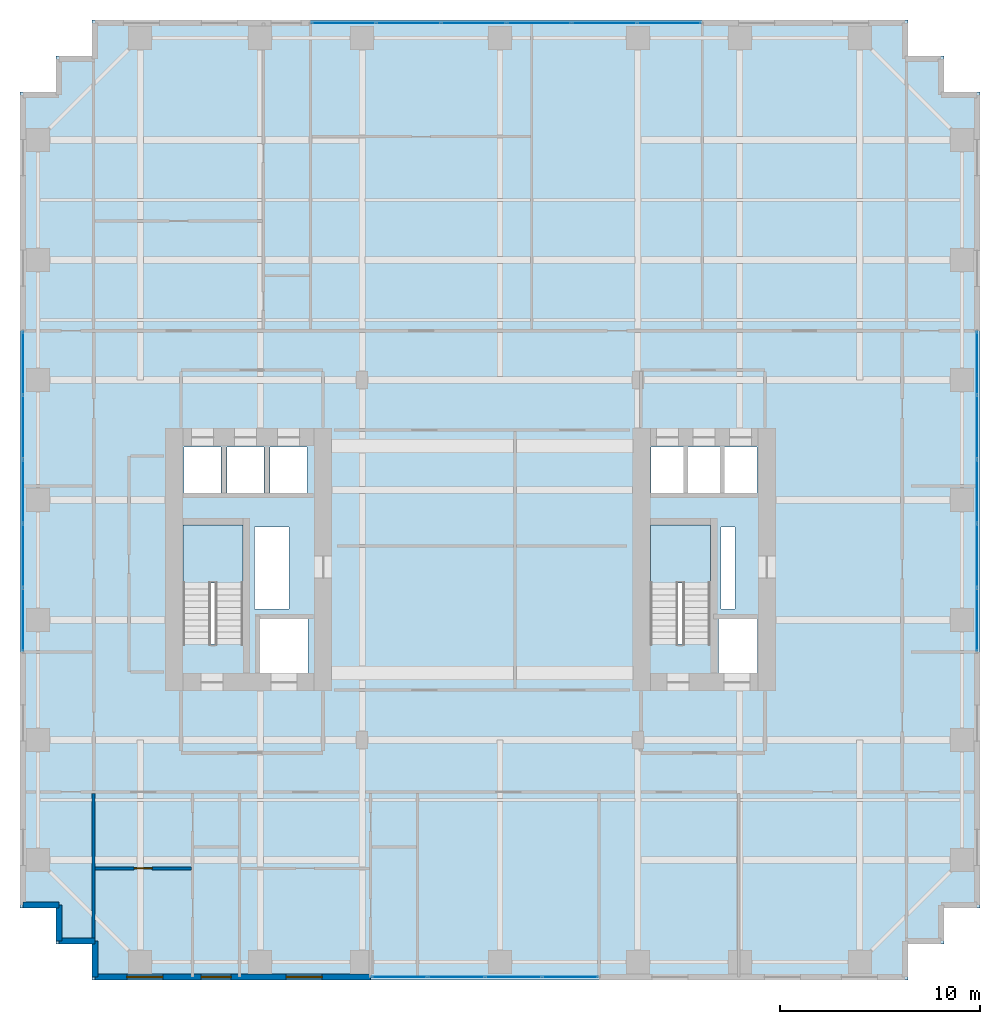
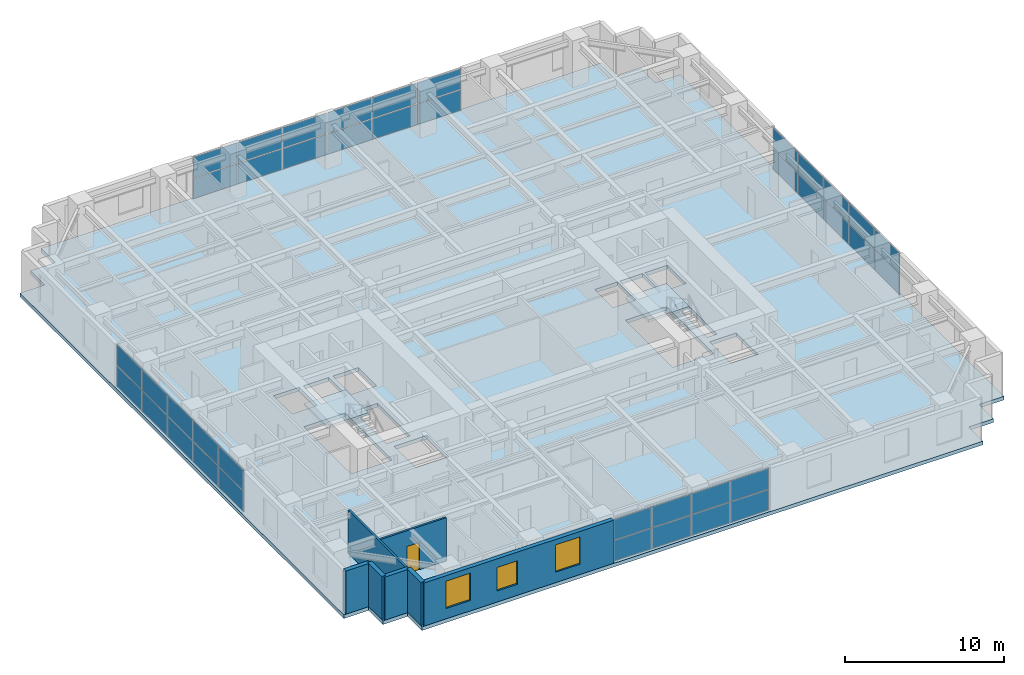
# One storey, part 19 of 24: 40 plates, 7 walls, 3 slabs, 3 windows, 1 door, 4 openings, 6 elements without a shape of their own.
"""IFC4 building model written with IfcOpenShell, lengths in metres."""

from ifc_helpers import new_model, si_unit, direction, frame, frame_2d, origin, origin_2d, place, context, subcontext, project, spatial, polyline, rectangle, outline, extrude, source, transform, mapped, material, layer, layer_set, type_object, element, fill, aggregate, save


model = new_model("IFC4")

# Units and contexts
model_context = context("Model", 3, precision=1e-05, world=origin(), true_north=direction((0.0, 1.0)))
body_context = subcontext(model_context, "Body", "Model", "MODEL_VIEW")
ifc_project = project(units=[si_unit("LENGTHUNIT", "METRE"), si_unit("AREAUNIT", "SQUARE_METRE"), si_unit("VOLUMEUNIT", "CUBIC_METRE"), si_unit("PLANEANGLEUNIT", "RADIAN"), si_unit("MASSUNIT", "GRAM", prefix="KILO")], contexts=[model_context])

# Site, building, storey
site_placement = place(None, origin())
site = spatial("IfcSite", under=ifc_project, at=site_placement, CompositionType="ELEMENT")
building_placement = place(site_placement, origin())
building = spatial("IfcBuilding", under=site, at=building_placement, Name="Khoralis Quay Care Tower", CompositionType="ELEMENT")
storey_placement = place(building_placement, frame((0.0, 0.0, 62.10009765625)))
storey = spatial("IfcBuildingStorey", under=building, at=storey_placement, Name="L16", CompositionType="ELEMENT", Elevation=62.10009765625)

# Stair, slab
ifc_material_1 = material(Name="Precast concrete C45/55", Category="concrete")
stair_type = type_object("IfcStairType", Name="ST-TWR-DOGLEG-1400", PredefinedType="HALF_TURN_STAIR", material=ifc_material_1)
stair_1_placement = place(storey_placement, origin())
stair_1 = element("IfcStair", 1, at=stair_1_placement, inside=storey, type_object=stair_type, Name="L16 West Core Exit Stair ST-T1", PredefinedType="HALF_TURN_STAIR")
ifc_layer_1 = layer(ifc_material_1, 0.199951171875)
ifc_layer_set_1 = layer_set([ifc_layer_1], Name="Precast concrete C45/55")
slab_type_1 = type_object("IfcSlabType", Name="SLB-LANDING-200", PredefinedType="LANDING", material=ifc_layer_set_1)
slab_1_placement = place(storey_placement, frame((0.0, 0.0, 1.599853515625)))
slab_1 = element("IfcSlab", 2, at=slab_1_placement, type_object=slab_type_1, Name="ST-T1 landing 1", PredefinedType="LANDING", context=body_context, shape_type="SweptSolid", body=[
    extrude(outline(polyline([(11.14990234375, 19.840087890625), (11.14990234375, 22.75), (8.14990234375, 22.75), (8.14990234375, 19.840087890625), (11.14990234375, 19.840087890625)])), origin(), (0.0, 0.0, 1.0), 0.199951171875),
])
aggregate(stair_1, [slab_1])

stair_2_placement = place(storey_placement, origin())
stair_2 = element("IfcStair", 3, at=stair_2_placement, inside=storey, type_object=stair_type, Name="L16 East Core Exit Stair ST-T2", PredefinedType="HALF_TURN_STAIR")
slab_2_placement = place(storey_placement, frame((0.0, 0.0, 1.599853515625)))
slab_2 = element("IfcSlab", 4, at=slab_2_placement, type_object=slab_type_1, Name="ST-T2 landing 1", PredefinedType="LANDING", context=body_context, shape_type="SweptSolid", body=[
    extrude(outline(polyline([(34.52001953125, 19.840087890625), (34.52001953125, 22.75), (31.52001953125, 22.75), (31.52001953125, 19.840087890625), (34.52001953125, 19.840087890625)])), origin(), (0.0, 0.0, 1.0), 0.199951171875),
])
aggregate(stair_2, [slab_2])

# Slab
ifc_material_2 = material(Name="Concrete C40/50", Category="concrete")
ifc_layer_2 = layer(ifc_material_2, 0.280029296875)
ifc_layer_set_2 = layer_set([ifc_layer_2], Name="Concrete C40/50")
slab_type_2 = type_object("IfcSlabType", Name="SLB-TWR-280", PredefinedType="FLOOR", material=ifc_layer_set_2)
slab_3_placement = place(storey_placement, frame((0.0, 0.0, -0.280029296875)))
element("IfcSlab", 5, at=slab_3_placement, inside=storey, type_object=slab_type_2, Name="Tower Floor Slab L16", PredefinedType="FLOOR", context=body_context, shape_type="SweptSolid", body=[
    extrude(outline(polyline([(3.60009765625, 0.0), (44.39990234375, 0.0), (44.39990234375, 1.800048828125), (46.199951171875, 1.800048828125), (46.199951171875, 3.60009765625), (48.0, 3.60009765625), (48.0, 44.39990234375), (46.199951171875, 44.39990234375), (46.199951171875, 46.199951171875), (44.39990234375, 46.199951171875), (44.39990234375, 48.0), (3.60009765625, 48.0), (3.60009765625, 46.199951171875), (1.800048828125, 46.199951171875), (1.800048828125, 44.39990234375), (0.0, 44.39990234375), (0.0, 3.60009765625), (1.800048828125, 3.60009765625), (1.800048828125, 1.800048828125), (3.60009765625, 1.800048828125), (3.60009765625, 0.0)]), holes=[polyline([(11.14990234375, 16.800048828125), (11.14990234375, 22.75), (8.14990234375, 22.75), (8.14990234375, 16.800048828125), (11.14990234375, 16.800048828125)]), polyline([(34.52001953125, 16.800048828125), (34.52001953125, 22.75), (31.52001953125, 22.75), (31.52001953125, 16.800048828125), (34.52001953125, 16.800048828125)]), polyline([(12.0, 15.35009765625), (14.39990234375, 15.35009765625), (14.39990234375, 18.050048828125), (12.0, 18.050048828125), (12.0, 15.35009765625)]), polyline([(34.919921875, 15.35009765625), (36.8798828125, 15.35009765625), (36.8798828125, 18.050048828125), (34.919921875, 18.050048828125), (34.919921875, 15.35009765625)]), polyline([(8.199951171875, 24.35009765625), (10.050048828125, 24.35009765625), (10.050048828125, 26.64990234375), (8.199951171875, 26.64990234375), (8.199951171875, 24.35009765625)]), polyline([(31.550048828125, 24.35009765625), (33.199951171875, 24.35009765625), (33.199951171875, 26.64990234375), (31.550048828125, 26.64990234375), (31.550048828125, 24.35009765625)]), polyline([(10.35009765625, 24.35009765625), (12.199951171875, 24.35009765625), (12.199951171875, 26.64990234375), (10.35009765625, 26.64990234375), (10.35009765625, 24.35009765625)]), polyline([(33.3798828125, 24.35009765625), (35.030029296875, 24.35009765625), (35.030029296875, 26.64990234375), (33.3798828125, 26.64990234375), (33.3798828125, 24.35009765625)]), polyline([(12.5, 24.35009765625), (14.35009765625, 24.35009765625), (14.35009765625, 26.64990234375), (12.5, 26.64990234375), (12.5, 24.35009765625)]), polyline([(35.199951171875, 24.35009765625), (36.85009765625, 24.35009765625), (36.85009765625, 26.64990234375), (35.199951171875, 26.64990234375), (35.199951171875, 24.35009765625)]), polyline([(11.719970703125, 18.550048828125), (13.449951171875, 18.550048828125), (13.449951171875, 22.64990234375), (11.719970703125, 22.64990234375), (11.719970703125, 18.550048828125)]), polyline([(35.050048828125, 18.550048828125), (35.75, 18.550048828125), (35.75, 22.64990234375), (35.050048828125, 22.64990234375), (35.050048828125, 18.550048828125)])]), origin(), (0.0, 0.0, 1.0), 0.280029296875),
])

# Curtain wall, plates
ifc_material_3 = material(Name="Pale anodised aluminium", Category="aluminium")
ifc_layer_3 = layer(ifc_material_3, 0.179931640625)
ifc_layer_set_3 = layer_set([ifc_layer_3], Name="Pale anodised aluminium")
curtain_wall_type = type_object("IfcCurtainWallType", Name="CW-SYS-Z1", PredefinedType="NOTDEFINED", material=ifc_layer_set_3)
curtain_wall_1_placement = place(storey_placement, origin())
curtain_wall_1 = element("IfcCurtainWall", 6, at=curtain_wall_1_placement, inside=storey, type_object=curtain_wall_type, Name="L16 Unitised Curtain Wall CW-L16-P1-E5", PredefinedType="NOTDEFINED")
ifc_material_4 = material(Name="Low-E solar-control double glazing", Category="glass")
ifc_layer_4 = layer(ifc_material_4, 0.031982421875)
ifc_layer_set_4 = layer_set([ifc_layer_4], Name="Low-E solar-control double glazing")
plate_type = type_object("IfcPlateType", Name="PNL-VIS-32", PredefinedType="CURTAIN_PANEL", material=ifc_layer_set_4)
shared_shape_1 = source(origin(), body_context, "Body", "SweptSolid", [
    extrude(rectangle(XDim=3.1220703125, YDim=0.028076171875, at=origin_2d()), origin(), (0.0, 0.0, 1.0), 1.570068359375),
])
plate_1_placement = place(storey_placement, frame((47.85009765625, 18.02099609375, 0.06005859375), z_axis=(0.0, 0.0, 1.0), x_axis=(0.0, 1.0, 0.0)))
plate_1 = element("IfcPlate", 7, at=plate_1_placement, type_object=plate_type, Name="CW1 panel 1.1", PredefinedType="CURTAIN_PANEL", context=body_context, shape_type="MappedRepresentation", body=[
    mapped(shared_shape_1, transform((0.0, 0.0, 0.0), scale=1.0)),
])
plate_2_placement = place(storey_placement, frame((47.85009765625, 18.02099609375, 1.68994140625), z_axis=(0.0, 0.0, 1.0), x_axis=(0.0, 1.0, 0.0)))
plate_2 = element("IfcPlate", 8, at=plate_2_placement, type_object=plate_type, Name="CW1 panel 1.2", PredefinedType="CURTAIN_PANEL", context=body_context, shape_type="MappedRepresentation", body=[
    mapped(shared_shape_1, transform((0.0, 0.0, 0.0), scale=1.0)),
])
plate_3_placement = place(storey_placement, frame((47.85009765625, 30.839111328125, 0.06005859375), z_axis=(0.0, 0.0, 1.0), x_axis=(0.0, 1.0, 0.0)))
plate_3 = element("IfcPlate", 9, at=plate_3_placement, type_object=plate_type, Name="CW1 panel 5.1", PredefinedType="CURTAIN_PANEL", context=body_context, shape_type="MappedRepresentation", body=[
    mapped(shared_shape_1, transform((0.0, 0.0, 0.0), scale=1.0)),
])
plate_4_placement = place(storey_placement, frame((47.85009765625, 30.839111328125, 1.68994140625), z_axis=(0.0, 0.0, 1.0), x_axis=(0.0, 1.0, 0.0)))
plate_4 = element("IfcPlate", 10, at=plate_4_placement, type_object=plate_type, Name="CW1 panel 5.2", PredefinedType="CURTAIN_PANEL", context=body_context, shape_type="MappedRepresentation", body=[
    mapped(shared_shape_1, transform((0.0, 0.0, 0.0), scale=1.0)),
])

curtain_wall_2_placement = place(storey_placement, origin())
curtain_wall_2 = element("IfcCurtainWall", 11, at=curtain_wall_2_placement, inside=storey, type_object=curtain_wall_type, Name="L16 Unitised Curtain Wall CW-L16-P1-E15", PredefinedType="NOTDEFINED")
plate_5_placement = place(storey_placement, frame((0.14990234375, 30.839111328125, 0.06005859375), z_axis=(0.0, 0.0, 1.0), x_axis=(0.0, -1.0, 0.0)))
plate_5 = element("IfcPlate", 12, at=plate_5_placement, type_object=plate_type, Name="CW1 panel 1.1", PredefinedType="CURTAIN_PANEL", context=body_context, shape_type="MappedRepresentation", body=[
    mapped(shared_shape_1, transform((0.0, 0.0, 0.0), scale=1.0)),
])
plate_6_placement = place(storey_placement, frame((0.14990234375, 30.839111328125, 1.68994140625), z_axis=(0.0, 0.0, 1.0), x_axis=(0.0, -1.0, 0.0)))
plate_6 = element("IfcPlate", 13, at=plate_6_placement, type_object=plate_type, Name="CW1 panel 1.2", PredefinedType="CURTAIN_PANEL", context=body_context, shape_type="MappedRepresentation", body=[
    mapped(shared_shape_1, transform((0.0, 0.0, 0.0), scale=1.0)),
])
plate_7_placement = place(storey_placement, frame((0.14990234375, 18.02099609375, 0.06005859375), z_axis=(0.0, 0.0, 1.0), x_axis=(0.0, -1.0, 0.0)))
plate_7 = element("IfcPlate", 14, at=plate_7_placement, type_object=plate_type, Name="CW1 panel 5.1", PredefinedType="CURTAIN_PANEL", context=body_context, shape_type="MappedRepresentation", body=[
    mapped(shared_shape_1, transform((0.0, 0.0, 0.0), scale=1.0)),
])
plate_8_placement = place(storey_placement, frame((0.14990234375, 18.02099609375, 1.68994140625), z_axis=(0.0, 0.0, 1.0), x_axis=(0.0, -1.0, 0.0)))
plate_8 = element("IfcPlate", 15, at=plate_8_placement, type_object=plate_type, Name="CW1 panel 5.2", PredefinedType="CURTAIN_PANEL", context=body_context, shape_type="MappedRepresentation", body=[
    mapped(shared_shape_1, transform((0.0, 0.0, 0.0), scale=1.0)),
])

# Plate
shared_shape_2 = source(origin(), body_context, "Body", "SweptSolid", [
    extrude(rectangle(XDim=3.152099609375, YDim=0.028076171875, at=origin_2d()), origin(), (0.0, 0.0, 1.0), 1.570068359375),
])
plate_9_placement = place(storey_placement, frame((47.85009765625, 21.218017578125, 0.06005859375), z_axis=(0.0, 0.0, 1.0), x_axis=(0.0, 1.0, 0.0)))
plate_9 = element("IfcPlate", 16, at=plate_9_placement, type_object=plate_type, Name="CW1 panel 2.1", PredefinedType="CURTAIN_PANEL", context=body_context, shape_type="MappedRepresentation", body=[
    mapped(shared_shape_2, transform((0.0, 0.0, 0.0), scale=1.0)),
])

plate_10_placement = place(storey_placement, frame((47.85009765625, 21.218017578125, 1.68994140625), z_axis=(0.0, 0.0, 1.0), x_axis=(0.0, 1.0, 0.0)))
plate_10 = element("IfcPlate", 17, at=plate_10_placement, type_object=plate_type, Name="CW1 panel 2.2", PredefinedType="CURTAIN_PANEL", context=body_context, shape_type="MappedRepresentation", body=[
    mapped(shared_shape_2, transform((0.0, 0.0, 0.0), scale=1.0)),
])

plate_11_placement = place(storey_placement, frame((47.85009765625, 24.429931640625, 0.06005859375), z_axis=(0.0, 0.0, 1.0), x_axis=(0.0, 1.0, 0.0)))
plate_11 = element("IfcPlate", 18, at=plate_11_placement, type_object=plate_type, Name="CW1 panel 3.1", PredefinedType="CURTAIN_PANEL", context=body_context, shape_type="MappedRepresentation", body=[
    mapped(shared_shape_2, transform((0.0, 0.0, 0.0), scale=1.0)),
])

plate_12_placement = place(storey_placement, frame((47.85009765625, 24.429931640625, 1.68994140625), z_axis=(0.0, 0.0, 1.0), x_axis=(0.0, 1.0, 0.0)))
plate_12 = element("IfcPlate", 19, at=plate_12_placement, type_object=plate_type, Name="CW1 panel 3.2", PredefinedType="CURTAIN_PANEL", context=body_context, shape_type="MappedRepresentation", body=[
    mapped(shared_shape_2, transform((0.0, 0.0, 0.0), scale=1.0)),
])

plate_13_placement = place(storey_placement, frame((47.85009765625, 27.64208984375, 0.06005859375), z_axis=(0.0, 0.0, 1.0), x_axis=(0.0, 1.0, 0.0)))
plate_13 = element("IfcPlate", 20, at=plate_13_placement, type_object=plate_type, Name="CW1 panel 4.1", PredefinedType="CURTAIN_PANEL", context=body_context, shape_type="MappedRepresentation", body=[
    mapped(shared_shape_2, transform((0.0, 0.0, 0.0), scale=1.0)),
])

plate_14_placement = place(storey_placement, frame((47.85009765625, 27.64208984375, 1.68994140625), z_axis=(0.0, 0.0, 1.0), x_axis=(0.0, 1.0, 0.0)))
plate_14 = element("IfcPlate", 21, at=plate_14_placement, type_object=plate_type, Name="CW1 panel 4.2", PredefinedType="CURTAIN_PANEL", context=body_context, shape_type="MappedRepresentation", body=[
    mapped(shared_shape_2, transform((0.0, 0.0, 0.0), scale=1.0)),
])

aggregate(curtain_wall_1, [plate_1, plate_2, plate_9, plate_10, plate_11, plate_12, plate_13, plate_14, plate_3, plate_4])

plate_15_placement = place(storey_placement, frame((0.14990234375, 27.64208984375, 0.06005859375), z_axis=(0.0, 0.0, 1.0), x_axis=(0.0, -1.0, 0.0)))
plate_15 = element("IfcPlate", 22, at=plate_15_placement, type_object=plate_type, Name="CW1 panel 2.1", PredefinedType="CURTAIN_PANEL", context=body_context, shape_type="MappedRepresentation", body=[
    mapped(shared_shape_2, transform((0.0, 0.0, 0.0), scale=1.0)),
])

plate_16_placement = place(storey_placement, frame((0.14990234375, 27.64208984375, 1.68994140625), z_axis=(0.0, 0.0, 1.0), x_axis=(0.0, -1.0, 0.0)))
plate_16 = element("IfcPlate", 23, at=plate_16_placement, type_object=plate_type, Name="CW1 panel 2.2", PredefinedType="CURTAIN_PANEL", context=body_context, shape_type="MappedRepresentation", body=[
    mapped(shared_shape_2, transform((0.0, 0.0, 0.0), scale=1.0)),
])

plate_17_placement = place(storey_placement, frame((0.14990234375, 24.429931640625, 0.06005859375), z_axis=(0.0, 0.0, 1.0), x_axis=(0.0, -1.0, 0.0)))
plate_17 = element("IfcPlate", 24, at=plate_17_placement, type_object=plate_type, Name="CW1 panel 3.1", PredefinedType="CURTAIN_PANEL", context=body_context, shape_type="MappedRepresentation", body=[
    mapped(shared_shape_2, transform((0.0, 0.0, 0.0), scale=1.0)),
])

plate_18_placement = place(storey_placement, frame((0.14990234375, 24.429931640625, 1.68994140625), z_axis=(0.0, 0.0, 1.0), x_axis=(0.0, -1.0, 0.0)))
plate_18 = element("IfcPlate", 25, at=plate_18_placement, type_object=plate_type, Name="CW1 panel 3.2", PredefinedType="CURTAIN_PANEL", context=body_context, shape_type="MappedRepresentation", body=[
    mapped(shared_shape_2, transform((0.0, 0.0, 0.0), scale=1.0)),
])

plate_19_placement = place(storey_placement, frame((0.14990234375, 21.218017578125, 0.06005859375), z_axis=(0.0, 0.0, 1.0), x_axis=(0.0, -1.0, 0.0)))
plate_19 = element("IfcPlate", 26, at=plate_19_placement, type_object=plate_type, Name="CW1 panel 4.1", PredefinedType="CURTAIN_PANEL", context=body_context, shape_type="MappedRepresentation", body=[
    mapped(shared_shape_2, transform((0.0, 0.0, 0.0), scale=1.0)),
])

plate_20_placement = place(storey_placement, frame((0.14990234375, 21.218017578125, 1.68994140625), z_axis=(0.0, 0.0, 1.0), x_axis=(0.0, -1.0, 0.0)))
plate_20 = element("IfcPlate", 27, at=plate_20_placement, type_object=plate_type, Name="CW1 panel 4.2", PredefinedType="CURTAIN_PANEL", context=body_context, shape_type="MappedRepresentation", body=[
    mapped(shared_shape_2, transform((0.0, 0.0, 0.0), scale=1.0)),
])

aggregate(curtain_wall_2, [plate_5, plate_6, plate_15, plate_16, plate_17, plate_18, plate_19, plate_20, plate_7, plate_8])

# Curtain wall, plates
curtain_wall_3_placement = place(storey_placement, origin())
curtain_wall_3 = element("IfcCurtainWall", 28, at=curtain_wall_3_placement, inside=storey, type_object=curtain_wall_type, Name="L16 Unitised Curtain Wall CW-L16-P1-E0", PredefinedType="NOTDEFINED")
shared_shape_3 = source(origin(), body_context, "Body", "SweptSolid", [
    extrude(rectangle(XDim=2.764892578125, YDim=0.028076171875, at=origin_2d()), origin(), (0.0, 0.0, 1.0), 1.570068359375),
])
plate_21_placement = place(storey_placement, frame((18.972412109375, 0.14990234375, 0.06005859375), z_axis=(0.0, 0.0, 1.0), x_axis=(1.0, 0.0, 0.0)))
plate_21 = element("IfcPlate", 29, at=plate_21_placement, type_object=plate_type, Name="CW1 panel 1.1", PredefinedType="CURTAIN_PANEL", context=body_context, shape_type="MappedRepresentation", body=[
    mapped(shared_shape_3, transform((0.0, 0.0, 0.0), scale=1.0)),
])
plate_22_placement = place(storey_placement, frame((18.972412109375, 0.14990234375, 1.68994140625), z_axis=(0.0, 0.0, 1.0), x_axis=(1.0, 0.0, 0.0)))
plate_22 = element("IfcPlate", 30, at=plate_22_placement, type_object=plate_type, Name="CW1 panel 1.2", PredefinedType="CURTAIN_PANEL", context=body_context, shape_type="MappedRepresentation", body=[
    mapped(shared_shape_3, transform((0.0, 0.0, 0.0), scale=1.0)),
])
plate_23_placement = place(storey_placement, frame((27.507568359375, 0.14990234375, 0.06005859375), z_axis=(0.0, 0.0, 1.0), x_axis=(1.0, 0.0, 0.0)))
plate_23 = element("IfcPlate", 31, at=plate_23_placement, type_object=plate_type, Name="CW1 panel 4.1", PredefinedType="CURTAIN_PANEL", context=body_context, shape_type="MappedRepresentation", body=[
    mapped(shared_shape_3, transform((0.0, 0.0, 0.0), scale=1.0)),
])
plate_24_placement = place(storey_placement, frame((27.507568359375, 0.14990234375, 1.68994140625), z_axis=(0.0, 0.0, 1.0), x_axis=(1.0, 0.0, 0.0)))
plate_24 = element("IfcPlate", 32, at=plate_24_placement, type_object=plate_type, Name="CW1 panel 4.2", PredefinedType="CURTAIN_PANEL", context=body_context, shape_type="MappedRepresentation", body=[
    mapped(shared_shape_3, transform((0.0, 0.0, 0.0), scale=1.0)),
])
shared_shape_4 = source(origin(), body_context, "Body", "SweptSolid", [
    extrude(rectangle(XDim=2.794921875, YDim=0.028076171875, at=origin_2d()), origin(), (0.0, 0.0, 1.0), 1.570068359375),
])
plate_25_placement = place(storey_placement, frame((21.8125, 0.14990234375, 0.06005859375), z_axis=(0.0, 0.0, 1.0), x_axis=(1.0, 0.0, 0.0)))
plate_25 = element("IfcPlate", 33, at=plate_25_placement, type_object=plate_type, Name="CW1 panel 2.1", PredefinedType="CURTAIN_PANEL", context=body_context, shape_type="MappedRepresentation", body=[
    mapped(shared_shape_4, transform((0.0, 0.0, 0.0), scale=1.0)),
])
plate_26_placement = place(storey_placement, frame((21.8125, 0.14990234375, 1.68994140625), z_axis=(0.0, 0.0, 1.0), x_axis=(1.0, 0.0, 0.0)))
plate_26 = element("IfcPlate", 34, at=plate_26_placement, type_object=plate_type, Name="CW1 panel 2.2", PredefinedType="CURTAIN_PANEL", context=body_context, shape_type="MappedRepresentation", body=[
    mapped(shared_shape_4, transform((0.0, 0.0, 0.0), scale=1.0)),
])
plate_27_placement = place(storey_placement, frame((24.66748046875, 0.14990234375, 0.06005859375), z_axis=(0.0, 0.0, 1.0), x_axis=(1.0, 0.0, 0.0)))
plate_27 = element("IfcPlate", 35, at=plate_27_placement, type_object=plate_type, Name="CW1 panel 3.1", PredefinedType="CURTAIN_PANEL", context=body_context, shape_type="MappedRepresentation", body=[
    mapped(shared_shape_4, transform((0.0, 0.0, 0.0), scale=1.0)),
])
plate_28_placement = place(storey_placement, frame((24.66748046875, 0.14990234375, 1.68994140625), z_axis=(0.0, 0.0, 1.0), x_axis=(1.0, 0.0, 0.0)))
plate_28 = element("IfcPlate", 36, at=plate_28_placement, type_object=plate_type, Name="CW1 panel 3.2", PredefinedType="CURTAIN_PANEL", context=body_context, shape_type="MappedRepresentation", body=[
    mapped(shared_shape_4, transform((0.0, 0.0, 0.0), scale=1.0)),
])
aggregate(curtain_wall_3, [plate_21, plate_22, plate_25, plate_26, plate_27, plate_28, plate_23, plate_24])

curtain_wall_4_placement = place(storey_placement, origin())
curtain_wall_4 = element("IfcCurtainWall", 37, at=curtain_wall_4_placement, inside=storey, type_object=curtain_wall_type, Name="L16 Unitised Curtain Wall CW-L16-P1-E10", PredefinedType="NOTDEFINED")
shared_shape_5 = source(origin(), body_context, "Body", "SweptSolid", [
    extrude(rectangle(XDim=3.17333984375, YDim=0.028076171875, at=origin_2d()), origin(), (0.0, 0.0, 1.0), 1.570068359375),
])
plate_29_placement = place(storey_placement, frame((32.46337890625, 47.85009765625, 0.06005859375), z_axis=(0.0, 0.0, 1.0), x_axis=(-1.0, 0.0, 0.0)))
plate_29 = element("IfcPlate", 38, at=plate_29_placement, type_object=plate_type, Name="CW1 panel 1.1", PredefinedType="CURTAIN_PANEL", context=body_context, shape_type="MappedRepresentation", body=[
    mapped(shared_shape_5, transform((0.0, 0.0, 0.0), scale=1.0)),
])
plate_30_placement = place(storey_placement, frame((32.46337890625, 47.85009765625, 1.68994140625), z_axis=(0.0, 0.0, 1.0), x_axis=(-1.0, 0.0, 0.0)))
plate_30 = element("IfcPlate", 39, at=plate_30_placement, type_object=plate_type, Name="CW1 panel 1.2", PredefinedType="CURTAIN_PANEL", context=body_context, shape_type="MappedRepresentation", body=[
    mapped(shared_shape_5, transform((0.0, 0.0, 0.0), scale=1.0)),
])
plate_31_placement = place(storey_placement, frame((16.1767578125, 47.85009765625, 0.06005859375), z_axis=(0.0, 0.0, 1.0), x_axis=(-1.0, 0.0, 0.0)))
plate_31 = element("IfcPlate", 40, at=plate_31_placement, type_object=plate_type, Name="CW1 panel 6.1", PredefinedType="CURTAIN_PANEL", context=body_context, shape_type="MappedRepresentation", body=[
    mapped(shared_shape_5, transform((0.0, 0.0, 0.0), scale=1.0)),
])
plate_32_placement = place(storey_placement, frame((16.1767578125, 47.85009765625, 1.68994140625), z_axis=(0.0, 0.0, 1.0), x_axis=(-1.0, 0.0, 0.0)))
plate_32 = element("IfcPlate", 41, at=plate_32_placement, type_object=plate_type, Name="CW1 panel 6.2", PredefinedType="CURTAIN_PANEL", context=body_context, shape_type="MappedRepresentation", body=[
    mapped(shared_shape_5, transform((0.0, 0.0, 0.0), scale=1.0)),
])
shared_shape_6 = source(origin(), body_context, "Body", "SweptSolid", [
    extrude(rectangle(XDim=3.203369140625, YDim=0.028076171875, at=origin_2d()), origin(), (0.0, 0.0, 1.0), 1.570068359375),
])
plate_33_placement = place(storey_placement, frame((29.215087890625, 47.85009765625, 0.06005859375), z_axis=(0.0, 0.0, 1.0), x_axis=(-1.0, 0.0, 0.0)))
plate_33 = element("IfcPlate", 42, at=plate_33_placement, type_object=plate_type, Name="CW1 panel 2.1", PredefinedType="CURTAIN_PANEL", context=body_context, shape_type="MappedRepresentation", body=[
    mapped(shared_shape_6, transform((0.0, 0.0, 0.0), scale=1.0)),
])
plate_34_placement = place(storey_placement, frame((29.215087890625, 47.85009765625, 1.68994140625), z_axis=(0.0, 0.0, 1.0), x_axis=(-1.0, 0.0, 0.0)))
plate_34 = element("IfcPlate", 43, at=plate_34_placement, type_object=plate_type, Name="CW1 panel 2.2", PredefinedType="CURTAIN_PANEL", context=body_context, shape_type="MappedRepresentation", body=[
    mapped(shared_shape_6, transform((0.0, 0.0, 0.0), scale=1.0)),
])
plate_35_placement = place(storey_placement, frame((25.95166015625, 47.85009765625, 0.06005859375), z_axis=(0.0, 0.0, 1.0), x_axis=(-1.0, 0.0, 0.0)))
plate_35 = element("IfcPlate", 44, at=plate_35_placement, type_object=plate_type, Name="CW1 panel 3.1", PredefinedType="CURTAIN_PANEL", context=body_context, shape_type="MappedRepresentation", body=[
    mapped(shared_shape_6, transform((0.0, 0.0, 0.0), scale=1.0)),
])
plate_36_placement = place(storey_placement, frame((25.95166015625, 47.85009765625, 1.68994140625), z_axis=(0.0, 0.0, 1.0), x_axis=(-1.0, 0.0, 0.0)))
plate_36 = element("IfcPlate", 45, at=plate_36_placement, type_object=plate_type, Name="CW1 panel 3.2", PredefinedType="CURTAIN_PANEL", context=body_context, shape_type="MappedRepresentation", body=[
    mapped(shared_shape_6, transform((0.0, 0.0, 0.0), scale=1.0)),
])
plate_37_placement = place(storey_placement, frame((22.688232421875, 47.85009765625, 0.06005859375), z_axis=(0.0, 0.0, 1.0), x_axis=(-1.0, 0.0, 0.0)))
plate_37 = element("IfcPlate", 46, at=plate_37_placement, type_object=plate_type, Name="CW1 panel 4.1", PredefinedType="CURTAIN_PANEL", context=body_context, shape_type="MappedRepresentation", body=[
    mapped(shared_shape_6, transform((0.0, 0.0, 0.0), scale=1.0)),
])
plate_38_placement = place(storey_placement, frame((22.688232421875, 47.85009765625, 1.68994140625), z_axis=(0.0, 0.0, 1.0), x_axis=(-1.0, 0.0, 0.0)))
plate_38 = element("IfcPlate", 47, at=plate_38_placement, type_object=plate_type, Name="CW1 panel 4.2", PredefinedType="CURTAIN_PANEL", context=body_context, shape_type="MappedRepresentation", body=[
    mapped(shared_shape_6, transform((0.0, 0.0, 0.0), scale=1.0)),
])
plate_39_placement = place(storey_placement, frame((19.425048828125, 47.85009765625, 0.06005859375), z_axis=(0.0, 0.0, 1.0), x_axis=(-1.0, 0.0, 0.0)))
plate_39 = element("IfcPlate", 48, at=plate_39_placement, type_object=plate_type, Name="CW1 panel 5.1", PredefinedType="CURTAIN_PANEL", context=body_context, shape_type="MappedRepresentation", body=[
    mapped(shared_shape_6, transform((0.0, 0.0, 0.0), scale=1.0)),
])
plate_40_placement = place(storey_placement, frame((19.425048828125, 47.85009765625, 1.68994140625), z_axis=(0.0, 0.0, 1.0), x_axis=(-1.0, 0.0, 0.0)))
plate_40 = element("IfcPlate", 49, at=plate_40_placement, type_object=plate_type, Name="CW1 panel 5.2", PredefinedType="CURTAIN_PANEL", context=body_context, shape_type="MappedRepresentation", body=[
    mapped(shared_shape_6, transform((0.0, 0.0, 0.0), scale=1.0)),
])
aggregate(curtain_wall_4, [plate_29, plate_30, plate_33, plate_34, plate_35, plate_36, plate_37, plate_38, plate_39, plate_40, plate_31, plate_32])

# Wall, openings, windows
ifc_layer_5 = layer(ifc_material_1, 0.300048828125)
ifc_layer_set_5 = layer_set([ifc_layer_5], Name="Precast concrete C45/55")
wall_type_1 = type_object("IfcWallType", Name="WL-EXT-REF-300", PredefinedType="SOLIDWALL", material=ifc_layer_set_5)
wall_1_placement = place(storey_placement, frame((3.75, 0.14990234375, 0.0), z_axis=(0.0, 0.0, 1.0), x_axis=(1.0, 0.0, 0.0)))
wall_1 = element("IfcWall", 50, at=wall_1_placement, inside=storey, type_object=wall_type_1, Name="L16 External Facade Wall WL-EXT-L16-P1-E0A", PredefinedType="SOLIDWALL", context=body_context, shape_type="SweptSolid", body=[
    extrude(rectangle(XDim=13.780029296875, YDim=0.300048828125, at=frame_2d((6.89013671875, 0.0))), origin(), (0.0, 0.0, 1.0), 3.31982421875),
])
opening_1_placement = place(wall_1_placement, frame((1.590087890625, 0.0, 0.800048828125)))
opening_1 = element("IfcOpeningElement", 51, at=opening_1_placement, cuts=wall_1, Name="Opening W2", PredefinedType="OPENING", context=body_context, shape_type="SweptSolid", body=[
    extrude(rectangle(XDim=1.800048828125, YDim=2.10009765625, at=frame_2d((0.89990234375, 1.050048828125))), frame((0.0, 0.16015625, 0.0), z_axis=(0.0, -1.0, 0.0), x_axis=(1.0, 0.0, 0.0)), (0.0, 0.0, 1.0), 0.320068359375),
])
opening_2_placement = place(wall_1_placement, frame((5.304931640625, 0.0, 0.85009765625)))
opening_2 = element("IfcOpeningElement", 52, at=opening_2_placement, cuts=wall_1, Name="Opening W3", PredefinedType="OPENING", context=body_context, shape_type="SweptSolid", body=[
    extrude(rectangle(XDim=1.5, YDim=1.800048828125, at=frame_2d((0.75, 0.89990234375))), frame((0.0, 0.16015625, 0.0), z_axis=(0.0, -1.0, 0.0), x_axis=(1.0, 0.0, 0.0)), (0.0, 0.0, 1.0), 0.320068359375),
])
opening_3_placement = place(wall_1_placement, frame((9.554931640625, 0.0, 0.800048828125)))
opening_3 = element("IfcOpeningElement", 53, at=opening_3_placement, cuts=wall_1, Name="Opening W2", PredefinedType="OPENING", context=body_context, shape_type="SweptSolid", body=[
    extrude(rectangle(XDim=1.800048828125, YDim=2.10009765625, at=frame_2d((0.89990234375, 1.050048828125))), frame((0.0, 0.16015625, 0.0), z_axis=(0.0, -1.0, 0.0), x_axis=(1.0, 0.0, 0.0)), (0.0, 0.0, 1.0), 0.320068359375),
])
window_type_1 = type_object("IfcWindowType", Name="WN-CLIN-1500X1800", PartitioningType="SINGLE_PANEL", PredefinedType="WINDOW", material=ifc_material_4)
shared_shape_7 = source(origin(), body_context, "Body", "SweptSolid", [
    extrude(rectangle(XDim=1.5, YDim=1.800048828125, at=frame_2d((0.75, 0.89990234375))), frame((0.0, 0.030029296875, 0.0), z_axis=(0.0, -1.0, 0.0), x_axis=(1.0, 0.0, 0.0)), (0.0, 0.0, 1.0), 0.06005859375),
])
window_1_placement = place(opening_2_placement, origin())
window_1 = element("IfcWindow", 54, at=window_1_placement, inside=storey, type_object=window_type_1, Name="WN-L16-P1-E0A Facade Window 02", OverallHeight=1.800048828125, OverallWidth=1.5, PartitioningType="SINGLE_PANEL", PredefinedType="WINDOW", context=body_context, shape_type="MappedRepresentation", body=[
    mapped(shared_shape_7, transform((0.0, 0.0, 0.0), scale=1.0)),
])
fill(opening_2, window_1)
window_type_2 = type_object("IfcWindowType", Name="WN-POD-1800X2100", PartitioningType="SINGLE_PANEL", PredefinedType="WINDOW", material=ifc_material_4)
shared_shape_8 = source(origin(), body_context, "Body", "SweptSolid", [
    extrude(rectangle(XDim=1.800048828125, YDim=2.10009765625, at=frame_2d((0.89990234375, 1.050048828125))), frame((0.0, 0.030029296875, 0.0), z_axis=(0.0, -1.0, 0.0), x_axis=(1.0, 0.0, 0.0)), (0.0, 0.0, 1.0), 0.06005859375),
])
window_2_placement = place(opening_1_placement, origin())
window_2 = element("IfcWindow", 55, at=window_2_placement, inside=storey, type_object=window_type_2, Name="WN-L16-P1-E0A Facade Window 01", OverallHeight=2.10009765625, OverallWidth=1.800048828125, PartitioningType="SINGLE_PANEL", PredefinedType="WINDOW", context=body_context, shape_type="MappedRepresentation", body=[
    mapped(shared_shape_8, transform((0.0, 0.0, 0.0), scale=1.0)),
])
fill(opening_1, window_2)
window_3_placement = place(opening_3_placement, origin())
window_3 = element("IfcWindow", 56, at=window_3_placement, inside=storey, type_object=window_type_2, Name="WN-L16-P1-E0A Facade Window 03", OverallHeight=2.10009765625, OverallWidth=1.800048828125, PartitioningType="SINGLE_PANEL", PredefinedType="WINDOW", context=body_context, shape_type="MappedRepresentation", body=[
    mapped(shared_shape_8, transform((0.0, 0.0, 0.0), scale=1.0)),
])
fill(opening_3, window_3)

# Walls
for number, where, z_axis, x_axis, name in (
    (57, (0.14990234375, 3.75, 0.0), (0.0, 0.0, 1.0), (1.0, 0.0, 0.0), "L16 External Facade Wall WL-EXT-L16-P1-C16"),
    (58, (1.949951171875, 3.75, 0.0), (0.0, 0.0, 1.0), (0.0, -1.0, 0.0), "L16 External Facade Wall WL-EXT-L16-P1-C17"),
    (59, (1.949951171875, 1.949951171875, 0.0), (0.0, 0.0, 1.0), (1.0, 0.0, 0.0), "L16 External Facade Wall WL-EXT-L16-P1-C18"),
    (60, (3.75, 1.949951171875, 0.0), (0.0, 0.0, 1.0), (0.0, -1.0, 0.0), "L16 External Facade Wall WL-EXT-L16-P1-C19"),
):
    element("IfcWall", number, at=place(storey_placement, frame(where, z_axis=z_axis, x_axis=x_axis)), inside=storey, type_object=wall_type_1, Name=name, PredefinedType="SOLIDWALL", context=body_context, shape_type="SweptSolid", body=[
        extrude(rectangle(XDim=1.800048828125, YDim=0.300048828125, at=frame_2d((0.89990234375, 0.0))), origin(), (0.0, 0.0, 1.0), 3.31982421875),
    ])
ifc_material_5 = material(Name="Gypsum plasterboard on acoustic metal stud")
ifc_layer_6 = layer(ifc_material_5, 0.139892578125)
ifc_layer_set_6 = layer_set([ifc_layer_6], Name="Gypsum plasterboard on acoustic metal stud")
wall_type_2 = type_object("IfcWallType", Name="WL-UNIT-140", PredefinedType="PARTITIONING", material=ifc_layer_set_6)
wall_2_placement = place(storey_placement, frame((3.679931640625, 1.945068359375, 0.0), z_axis=(0.0, 0.0, 1.0), x_axis=(0.0, 1.0, 0.0)))
element("IfcWall", 61, at=wall_2_placement, inside=storey, type_object=wall_type_2, Name="L16 SB Demising Wall 0", PredefinedType="PARTITIONING", context=body_context, shape_type="SweptSolid", body=[
    extrude(rectangle(XDim=7.37744140625, YDim=0.139892578125, at=frame_2d((3.688720703125, 0.0))), origin(), (0.0, 0.0, 1.0), 3.31982421875),
])

# Wall, opening, door
wall_3_placement = place(storey_placement, frame((3.7451171875, 5.580078125, 0.0), z_axis=(0.0, 0.0, 1.0), x_axis=(1.0, 0.0, 0.0)))
wall_3 = element("IfcWall", 62, at=wall_3_placement, inside=storey, type_object=wall_type_2, Name="Skilled Care Bedroom L16-SB0 Sub-Partition", PredefinedType="PARTITIONING", context=body_context, shape_type="SweptSolid", body=[
    extrude(rectangle(XDim=4.81982421875, YDim=0.139892578125, at=frame_2d((2.409912109375, 0.0))), origin(), (0.0, 0.0, 1.0), 3.31982421875),
])
opening_4_placement = place(wall_3_placement, frame((1.9599609375, 0.0, 0.0)))
opening_4 = element("IfcOpeningElement", 63, at=opening_4_placement, cuts=wall_3, Name="Opening WD1", PredefinedType="OPENING", context=body_context, shape_type="SweptSolid", body=[
    extrude(rectangle(XDim=0.89990234375, YDim=2.10009765625, at=frame_2d((0.449951171875, 1.050048828125))), frame((0.0, 0.080078125, 0.0), z_axis=(0.0, -1.0, 0.0), x_axis=(1.0, 0.0, 0.0)), (0.0, 0.0, 1.0), 0.159912109375),
])
ifc_material_6 = material(Name="Acoustic hardwood timber", Category="wood")
door_type = type_object("IfcDoorType", Name="DR-BATH-900X2100", OperationType="NOTDEFINED", PredefinedType="DOOR", material=ifc_material_6)
shared_shape_9 = source(origin(), body_context, "Body", "SweptSolid", [
    extrude(rectangle(XDim=0.89990234375, YDim=2.10009765625, at=frame_2d((0.449951171875, 1.050048828125))), frame((0.0, 0.02490234375, 0.0), z_axis=(0.0, -1.0, 0.0), x_axis=(1.0, 0.0, 0.0)), (0.0, 0.0, 1.0), 0.050048828125),
])
door_placement = place(opening_4_placement, origin())
door = element("IfcDoor", 64, at=door_placement, inside=storey, type_object=door_type, Name="Private Study & Reading Alcove ARE0 Door", OperationType="SINGLE_SWING_LEFT", OverallHeight=2.10009765625, OverallWidth=0.89990234375, PredefinedType="DOOR", context=body_context, shape_type="MappedRepresentation", body=[
    mapped(shared_shape_9, transform((0.0, 0.0, 0.0), scale=1.0)),
])
fill(opening_4, door)

save(model, "model.ifc")
